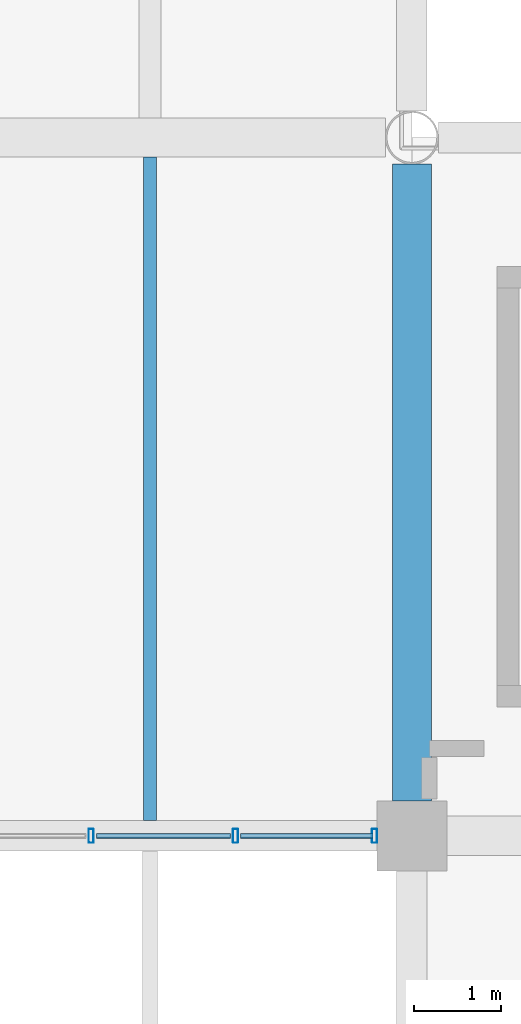
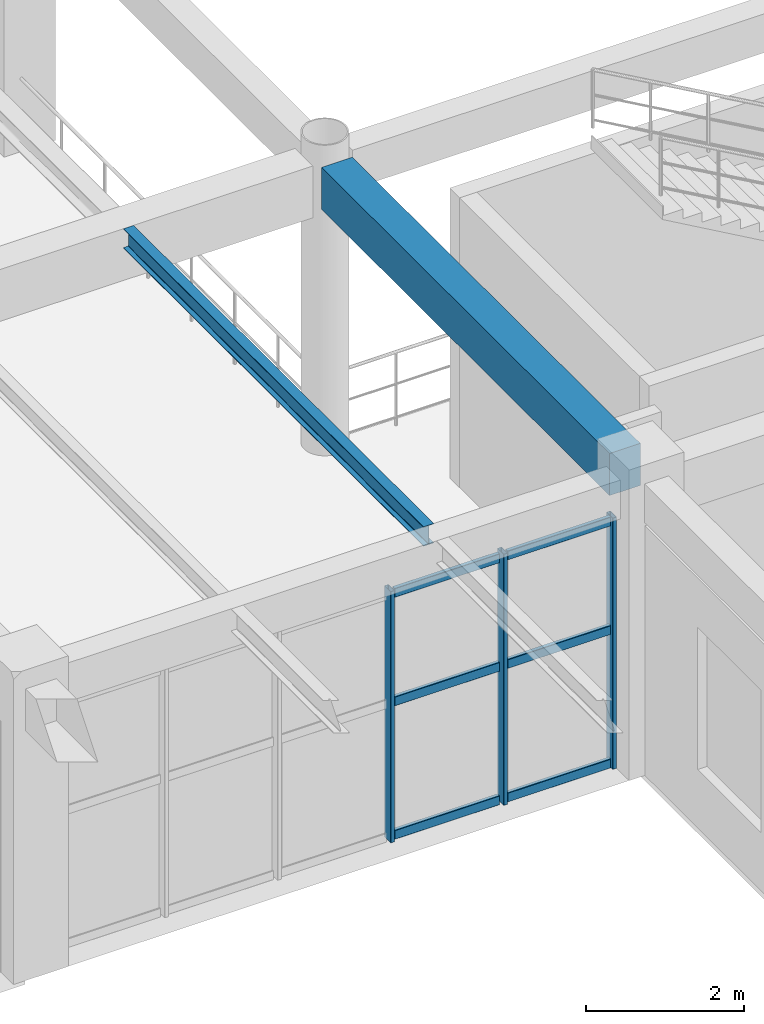
# One storey, part 31 of 178: 9 members, 2 beams, 1 element without a shape of its own.
"""IFC4 building model written with IfcOpenShell, lengths in metres."""

from ifc_helpers import new_model, si_unit, derived_unit, direction, frame, origin, origin_2d, place, context, subcontext, project, spatial, rectangle, hollow_rectangle, i_section, extrude, material, material_profile, profile_set, type_object, element, aggregate, save


model = new_model("IFC4")

# Units and contexts
model_context = context("Model", 3, precision=1e-05, world=origin(), true_north=direction((0.0, 1.0)))
body_context = subcontext(model_context, "Body", "Model", "MODEL_VIEW")
ifc_project = project(units=[si_unit("LENGTHUNIT", "METRE"), si_unit("AREAUNIT", "SQUARE_METRE"), si_unit("VOLUMEUNIT", "CUBIC_METRE"), si_unit("PLANEANGLEUNIT", "RADIAN"), si_unit("MASSUNIT", "GRAM", prefix="KILO"), derived_unit("THERMALTRANSMITTANCEUNIT", [(si_unit("MASSUNIT", "GRAM", prefix="KILO"), 1), (si_unit("TIMEUNIT", "SECOND"), -3), (si_unit("THERMODYNAMICTEMPERATUREUNIT", "KELVIN"), -1)])], contexts=[model_context])

# Site, building, storey
site_placement = place(None, origin())
site = spatial("IfcSite", under=ifc_project, at=site_placement, CompositionType="ELEMENT")
building_placement = place(site_placement, origin())
building = spatial("IfcBuilding", under=site, at=building_placement, Name="Zhenchuan Archway Interchange", CompositionType="ELEMENT")
storey_placement = place(building_placement, frame((0.0, 0.0, 5.39990234375)))
storey = spatial("IfcBuildingStorey", under=building, at=storey_placement, Name="L01", CompositionType="ELEMENT", Elevation=5.39990234375)

# Beam
ifc_material_1 = material(Name="Concrete C40", Category="concrete")
ifc_material_profile_1 = material_profile(ifc_material_1, rectangle(XDim=0.449951171875, YDim=0.64990234375, at=origin_2d()), Name="RC 450x650")
ifc_profile_set_1 = profile_set([ifc_material_profile_1], Name="Concrete C40")
beam_type_1 = type_object("IfcBeamType", Name="BM_RC_450x650", PredefinedType="BEAM", material=ifc_profile_set_1)
beam_1_placement = place(storey_placement, frame((36.0, 24.39990234375, 4.18505859375), z_axis=(0.0, 1.0, 0.0), x_axis=(-1.0, 0.0, 0.0)))
element("IfcBeam", 1, at=beam_1_placement, inside=storey, type_object=beam_type_1, Name="Beam 5:D-E (L01)", PredefinedType="BEAM", context=body_context, shape_type="SweptSolid", body=[
    extrude(rectangle(XDim=0.449951171875, YDim=0.64990234375, at=origin_2d()), origin(), (0.0, 0.0, 1.0), 7.295166015625),
])

# Curtain wall, members
ifc_material_2 = material(Name="Anodised Aluminium", Category="aluminium")
curtain_wall_type = type_object("IfcCurtainWallType", Name="CW_UNIT_4", PredefinedType="NOTDEFINED", material=ifc_material_2)
curtain_wall_placement = place(storey_placement, origin())
curtain_wall = element("IfcCurtainWall", 2, at=curtain_wall_placement, inside=storey, type_object=curtain_wall_type, Name="Unitised curtain wall CW:L01:027", PredefinedType="NOTDEFINED")
ifc_material_profile_2 = material_profile(ifc_material_2, hollow_rectangle(XDim=0.06005859375, YDim=0.159912109375, WallThickness=0.00390625, InnerFilletRadius=0.00390625, OuterFilletRadius=0.008056640625, at=origin_2d()), Name="ALU 160x60x4")
ifc_profile_set_2 = profile_set([ifc_material_profile_2], Name="Anodised Aluminium")
member_type_1 = type_object("IfcMemberType", Name="CW_MUL_150", PredefinedType="MULLION", material=ifc_profile_set_2)
member_1_placement = place(storey_placement, frame((35.572021484375, 24.0, 0.0), z_axis=(0.0, 0.0, 1.0), x_axis=(1.0, 0.0, 0.0)))
member_1 = element("IfcMember", 3, at=member_1_placement, type_object=member_type_1, Name="CW:L01:027 mullion 0", PredefinedType="MULLION", context=body_context, shape_type="SweptSolid", body=[
    extrude(hollow_rectangle(XDim=0.06005859375, YDim=0.159912109375, WallThickness=0.00390625, InnerFilletRadius=0.00390625, OuterFilletRadius=0.008056640625, at=origin_2d()), origin(), (0.0, 0.0, 1.0), 3.880126953125),
])
member_2_placement = place(storey_placement, frame((33.979248046875, 24.0, 0.0), z_axis=(0.0, 0.0, 1.0), x_axis=(1.0, 0.0, 0.0)))
member_2 = element("IfcMember", 4, at=member_2_placement, type_object=member_type_1, Name="CW:L01:027 mullion 1", PredefinedType="MULLION", context=body_context, shape_type="SweptSolid", body=[
    extrude(hollow_rectangle(XDim=0.06005859375, YDim=0.159912109375, WallThickness=0.00390625, InnerFilletRadius=0.00390625, OuterFilletRadius=0.008056640625, at=origin_2d()), origin(), (0.0, 0.0, 1.0), 3.880126953125),
])
member_3_placement = place(storey_placement, frame((32.326416015625, 24.0, 0.0), z_axis=(0.0, 0.0, 1.0), x_axis=(1.0, 0.0, 0.0)))
member_3 = element("IfcMember", 5, at=member_3_placement, type_object=member_type_1, Name="CW:L01:027 mullion 2", PredefinedType="MULLION", context=body_context, shape_type="SweptSolid", body=[
    extrude(hollow_rectangle(XDim=0.06005859375, YDim=0.159912109375, WallThickness=0.00390625, InnerFilletRadius=0.00390625, OuterFilletRadius=0.008056640625, at=origin_2d()), origin(), (0.0, 0.0, 1.0), 3.880126953125),
])
ifc_material_profile_3 = material_profile(ifc_material_2, hollow_rectangle(XDim=0.06005859375, YDim=0.139892578125, WallThickness=0.00341796875, InnerFilletRadius=0.00341796875, OuterFilletRadius=0.007080078125, at=origin_2d()), Name="ALU 140x60x3.5")
ifc_profile_set_3 = profile_set([ifc_material_profile_3], Name="Anodised Aluminium")
member_type_2 = type_object("IfcMemberType", Name="CW_TRN_140", PredefinedType="USERDEFINED", material=ifc_profile_set_3)
member_4_placement = place(storey_placement, frame((35.552001953125, 24.0, 0.06005859375), z_axis=(-1.0, 0.0, 0.0), x_axis=(0.0, -1.0, 0.0)))
member_4 = element("IfcMember", 6, at=member_4_placement, type_object=member_type_2, Name="CW:L01:027 transom 0-1", ObjectType="TRANSOM", PredefinedType="USERDEFINED", context=body_context, shape_type="SweptSolid", body=[
    extrude(hollow_rectangle(XDim=0.06005859375, YDim=0.139892578125, WallThickness=0.00341796875, InnerFilletRadius=0.00341796875, OuterFilletRadius=0.007080078125, at=origin_2d()), origin(), (0.0, 0.0, 1.0), 1.5126953125),
])
member_5_placement = place(storey_placement, frame((35.552001953125, 24.0, 2.123046875), z_axis=(-1.0, 0.0, 0.0), x_axis=(0.0, -1.0, 0.0)))
member_5 = element("IfcMember", 7, at=member_5_placement, type_object=member_type_2, Name="CW:L01:027 transom 0-2", ObjectType="TRANSOM", PredefinedType="USERDEFINED", context=body_context, shape_type="SweptSolid", body=[
    extrude(hollow_rectangle(XDim=0.06005859375, YDim=0.139892578125, WallThickness=0.00341796875, InnerFilletRadius=0.00341796875, OuterFilletRadius=0.007080078125, at=origin_2d()), origin(), (0.0, 0.0, 1.0), 1.5126953125),
])
member_6_placement = place(storey_placement, frame((35.552001953125, 24.0, 3.800048828125), z_axis=(-1.0, 0.0, 0.0), x_axis=(0.0, -1.0, 0.0)))
member_6 = element("IfcMember", 8, at=member_6_placement, type_object=member_type_2, Name="CW:L01:027 transom 0-3", ObjectType="TRANSOM", PredefinedType="USERDEFINED", context=body_context, shape_type="SweptSolid", body=[
    extrude(hollow_rectangle(XDim=0.06005859375, YDim=0.139892578125, WallThickness=0.00341796875, InnerFilletRadius=0.00341796875, OuterFilletRadius=0.007080078125, at=origin_2d()), origin(), (0.0, 0.0, 1.0), 1.5126953125),
])
member_7_placement = place(storey_placement, frame((33.919189453125, 24.0, 0.06005859375), z_axis=(-1.0, 0.0, 0.0), x_axis=(0.0, -1.0, 0.0)))
member_7 = element("IfcMember", 9, at=member_7_placement, type_object=member_type_2, Name="CW:L01:027 transom 1-1", ObjectType="TRANSOM", PredefinedType="USERDEFINED", context=body_context, shape_type="SweptSolid", body=[
    extrude(hollow_rectangle(XDim=0.06005859375, YDim=0.139892578125, WallThickness=0.00341796875, InnerFilletRadius=0.00341796875, OuterFilletRadius=0.007080078125, at=origin_2d()), origin(), (0.0, 0.0, 1.0), 1.53271484375),
])
member_8_placement = place(storey_placement, frame((33.919189453125, 24.0, 2.123046875), z_axis=(-1.0, 0.0, 0.0), x_axis=(0.0, -1.0, 0.0)))
member_8 = element("IfcMember", 10, at=member_8_placement, type_object=member_type_2, Name="CW:L01:027 transom 1-2", ObjectType="TRANSOM", PredefinedType="USERDEFINED", context=body_context, shape_type="SweptSolid", body=[
    extrude(hollow_rectangle(XDim=0.06005859375, YDim=0.139892578125, WallThickness=0.00341796875, InnerFilletRadius=0.00341796875, OuterFilletRadius=0.007080078125, at=origin_2d()), origin(), (0.0, 0.0, 1.0), 1.53271484375),
])
member_9_placement = place(storey_placement, frame((33.919189453125, 24.0, 3.800048828125), z_axis=(-1.0, 0.0, 0.0), x_axis=(0.0, -1.0, 0.0)))
member_9 = element("IfcMember", 11, at=member_9_placement, type_object=member_type_2, Name="CW:L01:027 transom 1-3", ObjectType="TRANSOM", PredefinedType="USERDEFINED", context=body_context, shape_type="SweptSolid", body=[
    extrude(hollow_rectangle(XDim=0.06005859375, YDim=0.139892578125, WallThickness=0.00341796875, InnerFilletRadius=0.00341796875, OuterFilletRadius=0.007080078125, at=origin_2d()), origin(), (0.0, 0.0, 1.0), 1.53271484375),
])
aggregate(curtain_wall, [member_1, member_2, member_3, member_4, member_5, member_6, member_7, member_8, member_9])

# Beam
ifc_material_3 = material(Name="Steel Q355", Category="steel")
ifc_material_profile_4 = material_profile(ifc_material_3, i_section(OverallWidth=0.14990234375, OverallDepth=0.300048828125, WebThickness=0.006591796875, FlangeThickness=0.009033203125, FilletRadius=0.012939453125, at=origin_2d()), Name="HN 300x150")
ifc_profile_set_4 = profile_set([ifc_material_profile_4], Name="Steel Q355")
beam_type_2 = type_object("IfcBeamType", Name="JST_STL_HN300", PredefinedType="JOIST", material=ifc_profile_set_4)
beam_2_placement = place(storey_placement, frame((33.0, 24.175048828125, 4.360107421875), z_axis=(0.0, 1.0, 0.0), x_axis=(-1.0, 0.0, 0.0)))
element("IfcBeam", 12, at=beam_2_placement, inside=storey, type_object=beam_type_2, Name="Secondary joist 4-5/D-E #2 (L01)", PredefinedType="JOIST", context=body_context, shape_type="SweptSolid", body=[
    extrude(i_section(OverallWidth=0.14990234375, OverallDepth=0.300048828125, WebThickness=0.006591796875, FlangeThickness=0.009033203125, FilletRadius=0.012939453125, at=origin_2d()), origin(), (0.0, 0.0, 1.0), 7.599853515625),
])

save(model, "model.ifc")
